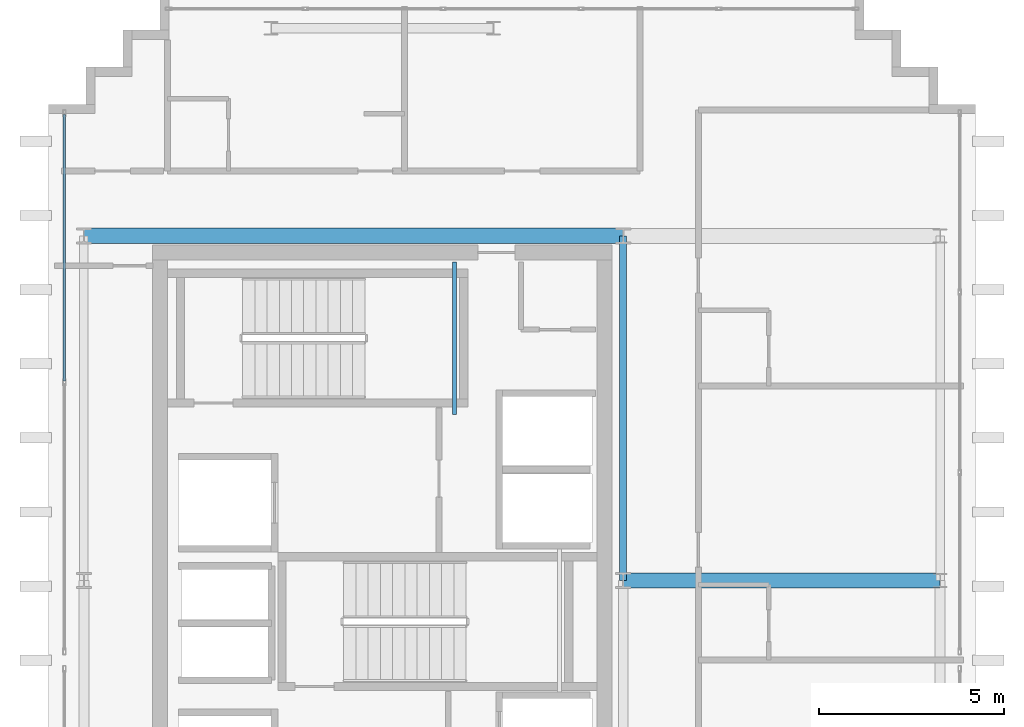
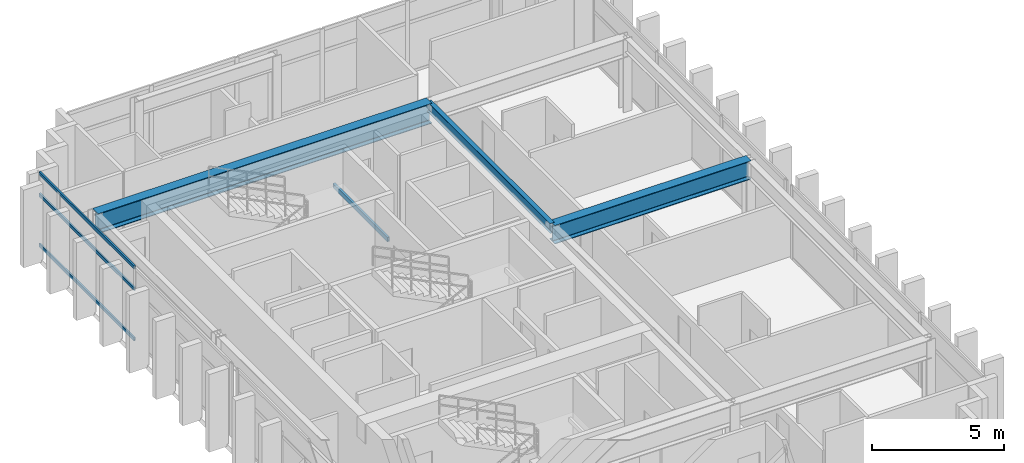
# One storey, part 7 of 15: 4 beams, 3 members, 1 element without a shape of its own.
"""IFC4 building model written with IfcOpenShell, lengths in metres."""

from ifc_helpers import new_model, si_unit, direction, frame, origin, origin_2d, place, context, subcontext, project, spatial, hollow_rectangle, i_section, extrude, source, transform, mapped, material, layer, layer_set, material_profile, profile_set, type_object, element, aggregate, save


model = new_model("IFC4")

# Units and contexts
model_context = context("Model", 3, precision=1e-05, world=origin(), true_north=direction((0.0, 1.0)))
body_context = subcontext(model_context, "Body", "Model", "MODEL_VIEW")
ifc_project = project(units=[si_unit("LENGTHUNIT", "METRE"), si_unit("AREAUNIT", "SQUARE_METRE"), si_unit("VOLUMEUNIT", "CUBIC_METRE"), si_unit("PLANEANGLEUNIT", "RADIAN"), si_unit("MASSUNIT", "GRAM", prefix="KILO")], contexts=[model_context])

# Site, building, storey
site_placement = place(None, origin())
site = spatial("IfcSite", under=ifc_project, at=site_placement, CompositionType="ELEMENT")
building_placement = place(site_placement, origin())
building = spatial("IfcBuilding", under=site, at=building_placement, Name="Ocotamira Hotel", CompositionType="ELEMENT")
storey_placement = place(building_placement, frame((0.0, 0.0, 286.800048828125)))
storey = spatial("IfcBuildingStorey", under=building, at=storey_placement, Name="L73", CompositionType="ELEMENT", Elevation=286.800048828125)

# Beams
ifc_material_1 = material(Name="Steel ASTM A500 Grade C", Category="steel")
ifc_material_profile_1 = material_profile(ifc_material_1, hollow_rectangle(XDim=0.10009765625, YDim=0.199951171875, WallThickness=0.008056640625, at=origin_2d()), Name="HSS200X100X8")
ifc_profile_set_1 = profile_set([ifc_material_profile_1], Name="Steel ASTM A500 Grade C")
beam_type_1 = type_object("IfcBeamType", Name="BM-STLDG-HSS200", PredefinedType="BEAM", material=ifc_profile_set_1)
shared_shape_1 = source(origin(), body_context, "Body", "SweptSolid", [
    extrude(hollow_rectangle(XDim=0.10009765625, YDim=0.199951171875, WallThickness=0.008056640625, at=origin_2d()), origin(), (0.0, 0.0, 1.0), 4.1201171875),
])
beam_1_placement = place(storey_placement, frame((18.949951171875, 32.6298828125, 1.5), z_axis=(0.0, 1.0, 0.0), x_axis=(-1.0, 0.0, 0.0)))
element("IfcBeam", 1, at=beam_1_placement, inside=storey, type_object=beam_type_1, Name="L73 Stair ST-2 Landing Bearer 1", PredefinedType="BEAM", context=body_context, shape_type="MappedRepresentation", body=[
    mapped(shared_shape_1, transform((0.0, 0.0, 0.0), scale=1.0)),
])
ifc_material_2 = material(Name="Steel ASTM A992 Grade 50", Category="steel")
ifc_material_profile_2 = material_profile(ifc_material_2, i_section(OverallWidth=0.41796875, OverallDepth=0.927001953125, WebThickness=0.019287109375, FlangeThickness=0.031982421875, FilletRadius=0.02392578125, at=origin_2d()), Name="W36X231")
ifc_profile_set_2 = profile_set([ifc_material_profile_2], Name="Steel ASTM A992 Grade 50")
beam_type_2 = type_object("IfcBeamType", Name="BM-GIRD-W36X231", PredefinedType="BEAM", material=ifc_profile_set_2)
shared_shape_2 = source(origin(), body_context, "Body", "SweptSolid", [
    extrude(i_section(OverallWidth=0.41796875, OverallDepth=0.927001953125, WebThickness=0.019287109375, FlangeThickness=0.031982421875, FilletRadius=0.02392578125, at=origin_2d()), origin(), (0.0, 0.0, 1.0), 14.550048828125),
])
beam_2_placement = place(storey_placement, frame((8.949951171875, 37.449951171875, 2.91650390625), z_axis=(1.0, 0.0, 0.0), x_axis=(0.0, 1.0, 0.0)))
element("IfcBeam", 2, at=beam_2_placement, inside=storey, type_object=beam_type_2, Name="L73 Girder Y37.45 X8.95-23.5", PredefinedType="BEAM", context=body_context, shape_type="MappedRepresentation", body=[
    mapped(shared_shape_2, transform((0.0, 0.0, 0.0), scale=1.0)),
])
ifc_material_profile_3 = material_profile(ifc_material_2, i_section(OverallWidth=0.18994140625, OverallDepth=0.45703125, WebThickness=0.009033203125, FlangeThickness=0.014404296875, FilletRadius=0.010009765625, at=origin_2d()), Name="W18X50")
ifc_profile_set_3 = profile_set([ifc_material_profile_3], Name="Steel ASTM A992 Grade 50")
beam_type_3 = type_object("IfcBeamType", Name="BM-SEC-W18X50", PredefinedType="JOIST", material=ifc_profile_set_3)
shared_shape_3 = source(origin(), body_context, "Body", "SweptSolid", [
    extrude(i_section(OverallWidth=0.18994140625, OverallDepth=0.45703125, WebThickness=0.009033203125, FlangeThickness=0.014404296875, FilletRadius=0.010009765625, at=origin_2d()), origin(), (0.0, 0.0, 1.0), 9.300048828125),
])
beam_3_placement = place(storey_placement, frame((23.5, 28.14990234375, 3.1513671875), z_axis=(0.0, 1.0, 0.0), x_axis=(-1.0, 0.0, 0.0)))
element("IfcBeam", 3, at=beam_3_placement, inside=storey, type_object=beam_type_3, Name="L73 Beam X23.5 Y28.15-37.45", PredefinedType="JOIST", context=body_context, shape_type="MappedRepresentation", body=[
    mapped(shared_shape_3, transform((0.0, 0.0, 0.0), scale=1.0)),
])
ifc_material_profile_4 = material_profile(ifc_material_2, i_section(OverallWidth=0.39990234375, OverallDepth=0.85595703125, WebThickness=0.018310546875, FlangeThickness=0.029296875, FilletRadius=0.02001953125, at=origin_2d()), Name="W33X201")
ifc_profile_set_4 = profile_set([ifc_material_profile_4], Name="Steel ASTM A992 Grade 50")
beam_type_4 = type_object("IfcBeamType", Name="BM-GIRD-W33X201", PredefinedType="BEAM", material=ifc_profile_set_4)
shared_shape_4 = source(origin(), body_context, "Body", "SweptSolid", [
    extrude(i_section(OverallWidth=0.39990234375, OverallDepth=0.85595703125, WebThickness=0.018310546875, FlangeThickness=0.029296875, FilletRadius=0.02001953125, at=origin_2d()), origin(), (0.0, 0.0, 1.0), 8.550048828125),
])
beam_4_placement = place(storey_placement, frame((23.5, 28.14990234375, 2.951904296875), z_axis=(1.0, 0.0, 0.0), x_axis=(0.0, 1.0, 0.0)))
element("IfcBeam", 4, at=beam_4_placement, inside=storey, type_object=beam_type_4, Name="L73 Girder Y28.15 X23.5-32.05", PredefinedType="BEAM", context=body_context, shape_type="MappedRepresentation", body=[
    mapped(shared_shape_4, transform((0.0, 0.0, 0.0), scale=1.0)),
])

# Curtain wall, members
ifc_material_3 = material(Name="Anodised pale-metal aluminium and solar glass", Category="aluminium")
ifc_layer = layer(ifc_material_3, 0.2099609375)
ifc_layer_set = layer_set([ifc_layer], Name="Anodised pale-metal aluminium and solar glass")
curtain_wall_type = type_object("IfcCurtainWallType", Name="CW-SYS7-PEAK", PredefinedType="NOTDEFINED", material=ifc_layer_set)
curtain_wall_placement = place(storey_placement, origin())
curtain_wall = element("IfcCurtainWall", 5, at=curtain_wall_placement, inside=storey, type_object=curtain_wall_type, Name="L73 Curtain Wall CW-7 CW-L73-W2", PredefinedType="NOTDEFINED")
ifc_material_4 = material(Name="Anodised pale-metal aluminium 6063-T6", Category="aluminium")
ifc_material_profile_5 = material_profile(ifc_material_4, hollow_rectangle(XDim=0.074951171875, YDim=0.14990234375, WallThickness=0.006103515625, at=origin_2d()), Name="HSS150X75X6")
ifc_profile_set_5 = profile_set([ifc_material_profile_5], Name="Anodised pale-metal aluminium 6063-T6")
member_type = type_object("IfcMemberType", Name="CWT-150X75", PredefinedType="USERDEFINED", material=ifc_profile_set_5)
shared_shape_5 = source(origin(), body_context, "Body", "SweptSolid", [
    extrude(hollow_rectangle(XDim=0.074951171875, YDim=0.14990234375, WallThickness=0.006103515625, at=origin_2d()), origin(), (0.0, 0.0, 1.0), 7.179931640625),
])
member_1_placement = place(storey_placement, frame((8.419921875, 33.5400390625, 0.037353515625), z_axis=(0.0, 1.0, 0.0), x_axis=(-1.0, 0.0, 0.0)))
member_1 = element("IfcMember", 6, at=member_1_placement, type_object=member_type, Name="CW-7 transom 2.1", ObjectType="TRANSOM", PredefinedType="USERDEFINED", context=body_context, shape_type="MappedRepresentation", body=[
    mapped(shared_shape_5, transform((0.0, 0.0, 0.0), scale=1.0)),
])
member_2_placement = place(storey_placement, frame((8.419921875, 33.5400390625, 2.349853515625), z_axis=(0.0, 1.0, 0.0), x_axis=(-1.0, 0.0, 0.0)))
member_2 = element("IfcMember", 7, at=member_2_placement, type_object=member_type, Name="CW-7 transom 2.2", ObjectType="TRANSOM", PredefinedType="USERDEFINED", context=body_context, shape_type="MappedRepresentation", body=[
    mapped(shared_shape_5, transform((0.0, 0.0, 0.0), scale=1.0)),
])
member_3_placement = place(storey_placement, frame((8.419921875, 33.5400390625, 3.342529296875), z_axis=(0.0, 1.0, 0.0), x_axis=(-1.0, 0.0, 0.0)))
member_3 = element("IfcMember", 8, at=member_3_placement, type_object=member_type, Name="CW-7 transom 2.3", ObjectType="TRANSOM", PredefinedType="USERDEFINED", context=body_context, shape_type="MappedRepresentation", body=[
    mapped(shared_shape_5, transform((0.0, 0.0, 0.0), scale=1.0)),
])
aggregate(curtain_wall, [member_1, member_2, member_3])

save(model, "model.ifc")
